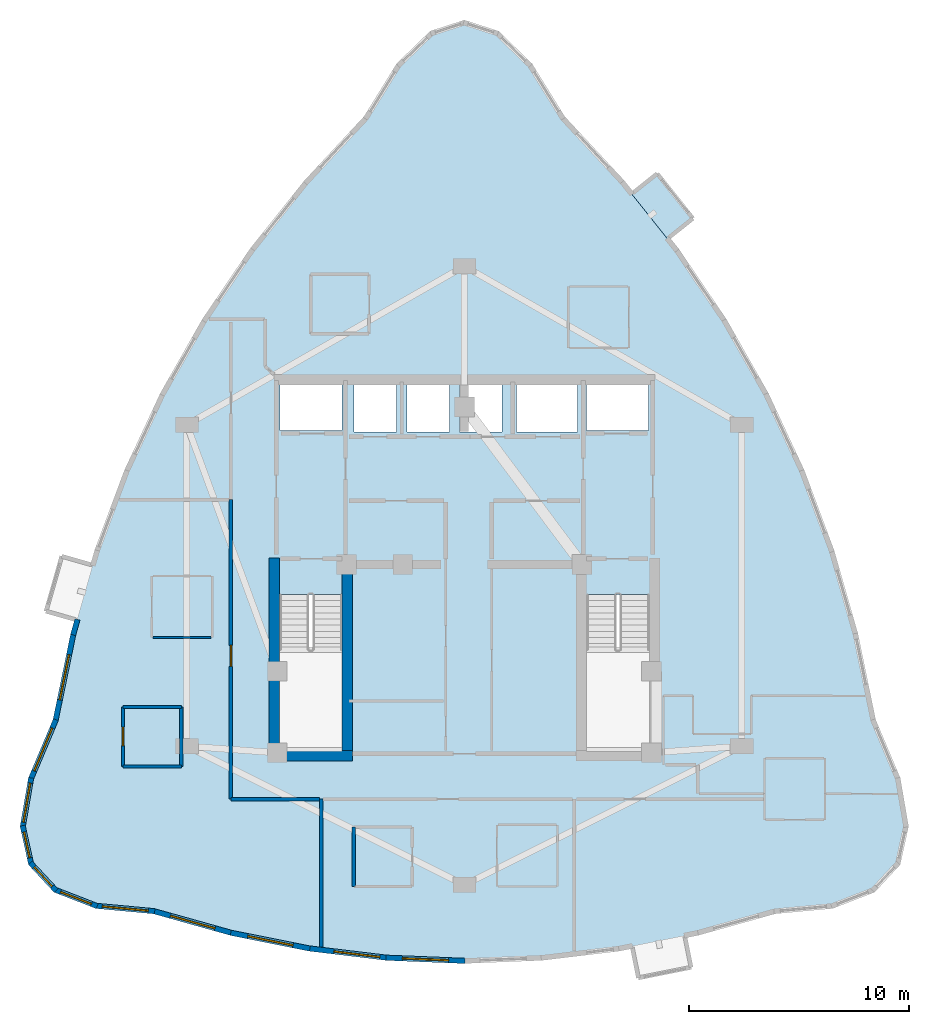
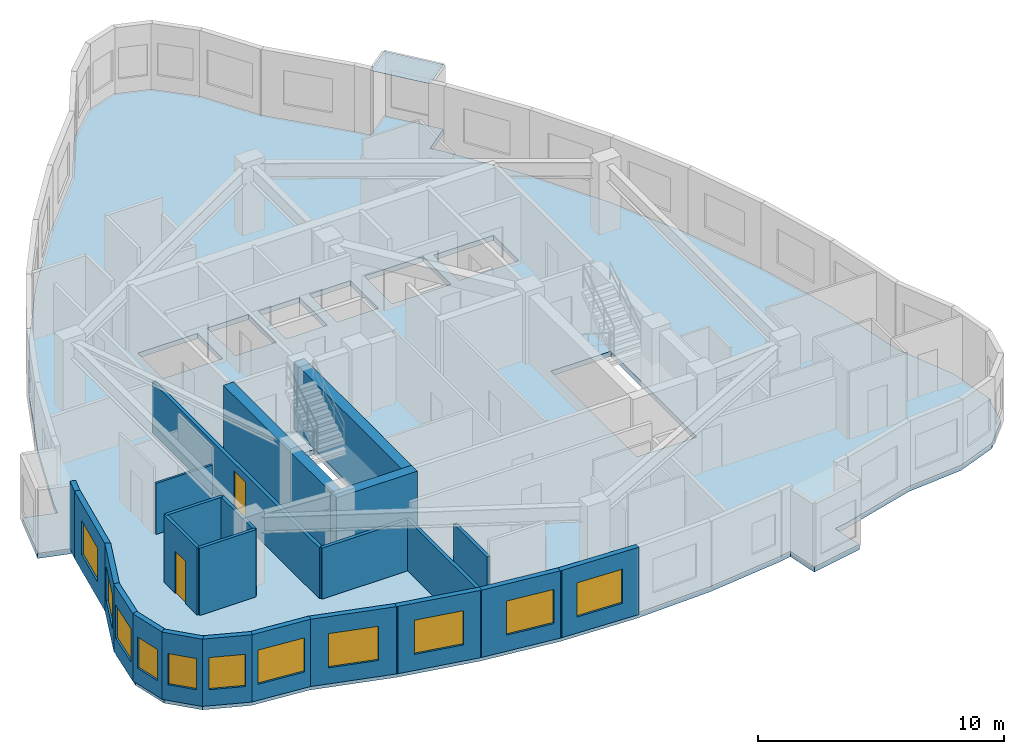
# One storey, part 3 of 8: 24 walls, 11 windows, 2 doors, 1 plate, 1 slab, 13 openings.
"""IFC4 building model written with IfcOpenShell, lengths in metres."""

from ifc_helpers import new_model, si_unit, direction, frame, frame_2d, origin, place, context, subcontext, project, spatial, polyline, rectangle, outline, extrude, material, layer, layer_set, type_object, element, fill, save


model = new_model("IFC4")

# Units and contexts
model_context = context("Model", 3, precision=1e-05, world=origin(), true_north=direction((0.0, 1.0)))
body_context = subcontext(model_context, "Body", "Model", "MODEL_VIEW")
ifc_project = project(units=[si_unit("LENGTHUNIT", "METRE"), si_unit("AREAUNIT", "SQUARE_METRE"), si_unit("VOLUMEUNIT", "CUBIC_METRE"), si_unit("PLANEANGLEUNIT", "RADIAN"), si_unit("MASSUNIT", "GRAM", prefix="KILO")], contexts=[model_context])

# Site, building, storey
site_placement = place(None, origin())
site = spatial("IfcSite", under=ifc_project, at=site_placement, CompositionType="ELEMENT")
building_placement = place(site_placement, origin())
building = spatial("IfcBuilding", under=site, at=building_placement, Name="Miruveldt Soraemaru", CompositionType="ELEMENT")
storey_placement = place(building_placement, frame((0.0, 0.0, 212.39990234375)))
storey = spatial("IfcBuildingStorey", under=building, at=storey_placement, Name="L58", CompositionType="ELEMENT", Elevation=212.39990234375)

# Plate
ifc_material_1 = material(Name="Standing-seam titanium-zinc sheet", Category="aluminium")
ifc_layer_1 = layer(ifc_material_1, 0.011962890625, Name="Standing-seam titanium-zinc sheet", Category="aluminium")
ifc_layer_set_1 = layer_set([ifc_layer_1], Name="Standing-seam titanium-zinc sheet")
plate_type = type_object("IfcPlateType", Name="PLT-ZINC-12", PredefinedType="SHEET", material=ifc_layer_set_1)
plate_placement = place(storey_placement, frame((0.0, 0.0, 3.195068359375)))
element("IfcPlate", 1, at=plate_placement, inside=storey, type_object=plate_type, Name="L58 Bay Window Zinc Hood Sheet 2", PredefinedType="SHEET", context=body_context, shape_type="SweptSolid", body=[
    extrude(outline(polyline([(53.22216796875, 58.847900390625), (51.600830078125, 60.880615234375), (52.7578125, 61.803466796875), (54.379150390625, 59.77099609375), (53.22216796875, 58.847900390625)])), origin(), (0.0, 0.0, 1.0), 0.011962890625),
])

# Slab
ifc_material_2 = material(Name="Concrete C40/50 (40 MPa)", Category="concrete")
ifc_layer_2 = layer(ifc_material_2, 0.2548828125, Name="Concrete C40/50 (40 MPa)", Category="concrete")
ifc_layer_set_2 = layer_set([ifc_layer_2], Name="Concrete C40/50 (40 MPa)")
slab_type = type_object("IfcSlabType", Name="SLAB-RES3-255", PredefinedType="FLOOR", material=ifc_layer_set_2)
slab_placement = place(storey_placement, frame((0.0, 0.0, -0.2548828125)))
element("IfcSlab", 2, at=slab_placement, inside=storey, type_object=slab_type, Name="L58 Structural Floor Slab", PredefinedType="FLOOR", context=body_context, shape_type="SweptSolid", body=[
    extrude(outline(polyline([(51.9033203125, 25.273681640625), (51.613037109375, 26.72509765625), (51.049072265625, 26.6123046875), (47.524658203125, 26.189208984375), (44.0, 26.04833984375), (40.475341796875, 26.189208984375), (36.950927734375, 26.6123046875), (33.42626953125, 27.317138671875), (29.90185546875, 28.303955078125), (27.294921875, 28.544921875), (25.432861328125, 29.267333984375), (24.3154296875, 30.471435546875), (23.943115234375, 32.156982421875), (24.3154296875, 34.324462890625), (25.432861328125, 36.973388671875), (26.23779296875, 40.885498046875), (26.777099609375, 42.77099609375), (26.419677734375, 41.521240234375), (24.99658203125, 41.92822265625), (25.711669921875, 44.427978515625), (27.134521484375, 44.02099609375), (27.31640625, 44.656494140625), (28.66845703125, 48.28662109375), (30.2939453125, 51.77587890625), (32.193115234375, 55.1240234375), (34.365478515625, 58.331298828125), (36.8115234375, 61.397216796875), (39.531005859375, 64.322509765625), (41.0205078125, 66.730712890625), (42.51025390625, 68.175537109375), (44.0, 68.6572265625), (45.48974609375, 68.175537109375), (46.9794921875, 66.730712890625), (48.468994140625, 64.322509765625), (51.1884765625, 61.397216796875), (52.41162109375, 59.8642578125), (51.600830078125, 60.880615234375), (52.7578125, 61.803466796875), (54.379150390625, 59.77099609375), (53.22216796875, 58.847900390625), (53.634521484375, 58.331298828125), (55.806884765625, 55.1240234375), (57.7060546875, 51.77587890625), (59.33154296875, 48.28662109375), (60.68359375, 44.656494140625), (61.76220703125, 40.885498046875), (62.567138671875, 36.973388671875), (63.6845703125, 34.324462890625), (64.056884765625, 32.156982421875), (63.6845703125, 30.471435546875), (62.567138671875, 29.267333984375), (60.705078125, 28.544921875), (58.09814453125, 28.303955078125), (54.57373046875, 27.317138671875), (52.811279296875, 26.964599609375), (54.009765625, 27.204345703125), (54.2998046875, 25.7529296875), (51.9033203125, 25.273681640625)]), holes=[polyline([(35.614990234375, 35.6650390625), (38.43505859375, 35.6650390625), (38.43505859375, 42.68505859375), (35.614990234375, 42.68505859375), (35.614990234375, 35.6650390625)]), polyline([(49.56494140625, 35.6650390625), (52.385009765625, 35.6650390625), (52.385009765625, 42.68505859375), (49.56494140625, 42.68505859375), (49.56494140625, 35.6650390625)]), polyline([(38.445068359375, 50.135009765625), (38.445068359375, 52.205078125), (35.635009765625, 52.205078125), (35.635009765625, 50.135009765625), (38.445068359375, 50.135009765625)]), polyline([(52.364990234375, 50.135009765625), (52.364990234375, 52.205078125), (49.554931640625, 52.205078125), (49.554931640625, 50.135009765625), (52.364990234375, 50.135009765625)]), polyline([(40.9150390625, 50.06494140625), (40.9150390625, 52.3349609375), (38.985107421875, 52.3349609375), (38.985107421875, 50.06494140625), (40.9150390625, 50.06494140625)]), polyline([(43.31494140625, 50.06494140625), (43.31494140625, 52.3349609375), (41.385009765625, 52.3349609375), (41.385009765625, 50.06494140625), (43.31494140625, 50.06494140625)]), polyline([(45.715087890625, 50.06494140625), (45.715087890625, 52.3349609375), (43.784912109375, 52.3349609375), (43.784912109375, 50.06494140625), (45.715087890625, 50.06494140625)]), polyline([(49.135009765625, 50.06494140625), (49.135009765625, 52.3349609375), (46.364990234375, 52.3349609375), (46.364990234375, 50.06494140625), (49.135009765625, 50.06494140625)])]), origin(), (0.0, 0.0, 1.0), 0.2548828125),
])

# Walls
ifc_material_3 = material(Name="Concrete C60/75 (60 MPa)", Category="concrete")
ifc_layer_3 = layer(ifc_material_3, 0.47998046875, Name="Concrete C60/75 (60 MPa)", Category="concrete")
ifc_layer_set_3 = layer_set([ifc_layer_3], Name="Concrete C60/75 (60 MPa)")
wall_type_1 = type_object("IfcWallType", Name="WALL-CW-480", PredefinedType="SHEAR", material=ifc_layer_set_3)
wall_1_placement = place(storey_placement, frame((35.1201171875, 35.360107421875, 0.0), z_axis=(0.0, 0.0, 1.0), x_axis=(1.0, 0.0, 0.0)))
element("IfcWall", 3, at=wall_1_placement, inside=storey, type_object=wall_type_1, Name="L58 Central Core Shear Wall S1", PredefinedType="SHEAR", context=body_context, shape_type="SweptSolid", body=[
    extrude(rectangle(XDim=3.809814453125, YDim=0.47998046875, at=frame_2d((1.90478515625, 0.0))), origin(), (0.0, 0.0, 1.0), 3.34521484375),
])
wall_2_placement = place(storey_placement, frame((35.360107421875, 35.1201171875, 0.0), z_axis=(0.0, 0.0, 1.0), x_axis=(0.0, 1.0, 0.0)))
element("IfcWall", 4, at=wall_2_placement, inside=storey, type_object=wall_type_1, Name="L58 Central Core Shear Wall W1", PredefinedType="SHEAR", context=body_context, shape_type="SweptSolid", body=[
    extrude(rectangle(XDim=9.22998046875, YDim=0.47998046875, at=frame_2d((4.614990234375, 0.0))), origin(), (0.0, 0.0, 1.0), 3.34521484375),
])
wall_3_placement = place(storey_placement, frame((38.68994140625, 35.39990234375, 0.0), z_axis=(0.0, 0.0, 1.0), x_axis=(0.0, 1.0, 0.0)))
element("IfcWall", 5, at=wall_3_placement, inside=storey, type_object=wall_type_1, Name="L58 Central Core Shear Wall SW-INT", PredefinedType="SHEAR", context=body_context, shape_type="SweptSolid", body=[
    extrude(rectangle(XDim=8.9501953125, YDim=0.47998046875, at=frame_2d((4.47509765625, 0.0))), origin(), (0.0, 0.0, 1.0), 3.34521484375),
])
ifc_material_4 = material(Name="Precast concrete C45/55 (45 MPa)", Category="concrete")
ifc_layer_4 = layer(ifc_material_4, 0.239990234375, Name="Precast concrete C45/55 (45 MPa)", Category="concrete")
ifc_layer_set_4 = layer_set([ifc_layer_4], Name="Precast concrete C45/55 (45 MPa)")
wall_type_2 = type_object("IfcWallType", Name="WALL-EXT-PC240", PredefinedType="SOLIDWALL", material=ifc_layer_set_4)
wall_4_placement = place(storey_placement, frame((26.427734375, 41.550048828125, 0.0), z_axis=(0.0, 0.0, 1.0), x_axis=(-0.274676723617, -0.961536633469, 0.0)))
element("IfcWall", 6, at=wall_4_placement, inside=storey, type_object=wall_type_2, Name="L58 Precast Pier Wall 13B", PredefinedType="SOLIDWALL", context=body_context, shape_type="SweptSolid", body=[
    extrude(rectangle(XDim=0.72607421875, YDim=0.239990234375, at=frame_2d((0.363037109375, 0.0))), origin(), (0.0, 0.0, 1.0), 3.34521484375),
])

# Wall, opening, window
wall_5_placement = place(storey_placement, frame((26.244873046875, 40.919921875, 0.0), z_axis=(0.0, 0.0, 1.0), x_axis=(-0.201542745203, -0.979479719982, 0.0)))
wall_5 = element("IfcWall", 7, at=wall_5_placement, inside=storey, type_object=wall_type_2, Name="L58 Precast Concrete Facade Wall 14", PredefinedType="SOLIDWALL", context=body_context, shape_type="SweptSolid", body=[
    extrude(rectangle(XDim=4.064208984375, YDim=0.239990234375, at=frame_2d((2.0322265625, 0.0))), origin(), (0.0, 0.0, 1.0), 3.34521484375),
])
opening_1_placement = place(wall_5_placement, frame((0.98193359375, 0.0, 0.800048828125)))
opening_1 = element("IfcOpeningElement", 8, at=opening_1_placement, cuts=wall_5, Name="Opening WN-1", PredefinedType="OPENING", context=body_context, shape_type="SweptSolid", body=[
    extrude(rectangle(XDim=2.10009765625, YDim=1.699951171875, at=frame_2d((1.050048828125, 0.85009765625))), frame((0.0, 0.1298828125, 0.0), z_axis=(0.0, -1.0, 0.0), x_axis=(1.0, 0.0, 0.0)), (0.0, 0.0, 1.0), 0.260009765625),
])
ifc_material_5 = material(Name="Triple low-e insulated glazing", Category="glass")
window_type_1 = type_object("IfcWindowType", Name="WIN-PUNCH-2100x1700", PartitioningType="SINGLE_PANEL", PredefinedType="WINDOW", material=ifc_material_5)
window_1_placement = place(opening_1_placement, origin())
window_1 = element("IfcWindow", 9, at=window_1_placement, inside=storey, type_object=window_type_1, Name="L58 Punched Triple-Glazed Window 14.1", OverallHeight=1.699951171875, OverallWidth=2.10009765625, PartitioningType="SINGLE_PANEL", PredefinedType="WINDOW", context=body_context, shape_type="SweptSolid", body=[
    extrude(rectangle(XDim=2.10009765625, YDim=1.699951171875, at=frame_2d((1.050048828125, 0.85009765625))), frame((0.0, 0.030029296875, 0.0), z_axis=(0.0, -1.0, 0.0), x_axis=(1.0, 0.0, 0.0)), (0.0, 0.0, 1.0), 0.06005859375),
])
fill(opening_1, window_1)

wall_6_placement = place(storey_placement, frame((25.4462890625, 37.005615234375, 0.0), z_axis=(0.0, 0.0, 1.0), x_axis=(-0.388579536892, -0.921415185196, 0.0)))
wall_6 = element("IfcWall", 10, at=wall_6_placement, inside=storey, type_object=wall_type_2, Name="L58 Precast Concrete Facade Wall 15", PredefinedType="SOLIDWALL", context=body_context, shape_type="SweptSolid", body=[
    extrude(rectangle(XDim=2.94482421875, YDim=0.239990234375, at=frame_2d((1.472412109375, 0.0))), origin(), (0.0, 0.0, 1.0), 3.34521484375),
])
opening_2_placement = place(wall_6_placement, frame((0.423095703125, 0.0, 0.800048828125)))
opening_2 = element("IfcOpeningElement", 11, at=opening_2_placement, cuts=wall_6, Name="Opening WN-1", PredefinedType="OPENING", context=body_context, shape_type="SweptSolid", body=[
    extrude(rectangle(XDim=2.10009765625, YDim=1.699951171875, at=frame_2d((1.050048828125, 0.85009765625))), frame((0.0, 0.1298828125, 0.0), z_axis=(0.0, -1.0, 0.0), x_axis=(1.0, 0.0, 0.0)), (0.0, 0.0, 1.0), 0.260009765625),
])
window_2_placement = place(opening_2_placement, origin())
window_2 = element("IfcWindow", 12, at=window_2_placement, inside=storey, type_object=window_type_1, Name="L58 Punched Triple-Glazed Window 15.1", OverallHeight=1.699951171875, OverallWidth=2.10009765625, PartitioningType="SINGLE_PANEL", PredefinedType="WINDOW", context=body_context, shape_type="SweptSolid", body=[
    extrude(rectangle(XDim=2.10009765625, YDim=1.699951171875, at=frame_2d((1.050048828125, 0.85009765625))), frame((0.0, 0.030029296875, 0.0), z_axis=(0.0, -1.0, 0.0), x_axis=(1.0, 0.0, 0.0)), (0.0, 0.0, 1.0), 0.06005859375),
])
fill(opening_2, window_2)

wall_7_placement = place(storey_placement, frame((24.3212890625, 34.35888671875, 0.0), z_axis=(0.0, 0.0, 1.0), x_axis=(-0.16924751517, -0.985573578486, 0.0)))
wall_7 = element("IfcWall", 13, at=wall_7_placement, inside=storey, type_object=wall_type_2, Name="L58 Precast Concrete Facade Wall 16", PredefinedType="SOLIDWALL", context=body_context, shape_type="SweptSolid", body=[
    extrude(rectangle(XDim=2.26904296875, YDim=0.239990234375, at=frame_2d((1.134521484375, 0.0))), origin(), (0.0, 0.0, 1.0), 3.34521484375),
])
opening_3_placement = place(wall_7_placement, frame((0.235107421875, 0.0, 0.800048828125)))
opening_3 = element("IfcOpeningElement", 14, at=opening_3_placement, cuts=wall_7, Name="Opening WN-2", PredefinedType="OPENING", context=body_context, shape_type="SweptSolid", body=[
    extrude(rectangle(XDim=1.800048828125, YDim=1.64990234375, at=frame_2d((0.89990234375, 0.824951171875))), frame((0.0, 0.1298828125, 0.0), z_axis=(0.0, -1.0, 0.0), x_axis=(1.0, 0.0, 0.0)), (0.0, 0.0, 1.0), 0.260009765625),
])
window_type_2 = type_object("IfcWindowType", Name="WIN-PUNCH-1800x1650", PartitioningType="SINGLE_PANEL", PredefinedType="WINDOW", material=ifc_material_5)
window_3_placement = place(opening_3_placement, origin())
window_3 = element("IfcWindow", 15, at=window_3_placement, inside=storey, type_object=window_type_2, Name="L58 Punched Triple-Glazed Window 16.1", OverallHeight=1.64990234375, OverallWidth=1.800048828125, PartitioningType="SINGLE_PANEL", PredefinedType="WINDOW", context=body_context, shape_type="SweptSolid", body=[
    extrude(rectangle(XDim=1.800048828125, YDim=1.64990234375, at=frame_2d((0.89990234375, 0.824951171875))), frame((0.0, 0.030029296875, 0.0), z_axis=(0.0, -1.0, 0.0), x_axis=(1.0, 0.0, 0.0)), (0.0, 0.0, 1.0), 0.06005859375),
])
fill(opening_3, window_3)

wall_8_placement = place(storey_placement, frame((23.935546875, 32.19140625, 0.0), z_axis=(0.0, 0.0, 1.0), x_axis=(0.21567837117, -0.976464459266, 0.0)))
wall_8 = element("IfcWall", 16, at=wall_8_placement, inside=storey, type_object=wall_type_2, Name="L58 Precast Concrete Facade Wall 17", PredefinedType="SOLIDWALL", context=body_context, shape_type="SweptSolid", body=[
    extrude(rectangle(XDim=1.79638671875, YDim=0.239990234375, at=frame_2d((0.898193359375, 0.0))), origin(), (0.0, 0.0, 1.0), 3.34521484375),
])
opening_4_placement = place(wall_8_placement, frame((0.298095703125, 0.0, 0.780029296875)))
opening_4 = element("IfcOpeningElement", 17, at=opening_4_placement, cuts=wall_8, Name="Opening WN-4", PredefinedType="OPENING", context=body_context, shape_type="SweptSolid", body=[
    extrude(rectangle(XDim=1.199951171875, YDim=1.550048828125, at=frame_2d((0.60009765625, 0.77490234375))), frame((0.0, 0.1298828125, 0.0), z_axis=(0.0, -1.0, 0.0), x_axis=(1.0, 0.0, 0.0)), (0.0, 0.0, 1.0), 0.260009765625),
])
window_type_3 = type_object("IfcWindowType", Name="WIN-PUNCH-1200x1550", PartitioningType="SINGLE_PANEL", PredefinedType="WINDOW", material=ifc_material_5)
window_4_placement = place(opening_4_placement, origin())
window_4 = element("IfcWindow", 18, at=window_4_placement, inside=storey, type_object=window_type_3, Name="L58 Punched Triple-Glazed Window 17.1", OverallHeight=1.550048828125, OverallWidth=1.199951171875, PartitioningType="SINGLE_PANEL", PredefinedType="WINDOW", context=body_context, shape_type="SweptSolid", body=[
    extrude(rectangle(XDim=1.199951171875, YDim=1.550048828125, at=frame_2d((0.60009765625, 0.77490234375))), frame((0.0, 0.030029296875, 0.0), z_axis=(0.0, -1.0, 0.0), x_axis=(1.0, 0.0, 0.0)), (0.0, 0.0, 1.0), 0.06005859375),
])
fill(opening_4, window_4)

wall_9_placement = place(storey_placement, frame((24.291748046875, 30.4970703125, 0.0), z_axis=(0.0, 0.0, 1.0), x_axis=(0.680166703881, -0.733057470416, 0.0)))
wall_9 = element("IfcWall", 19, at=wall_9_placement, inside=storey, type_object=wall_type_2, Name="L58 Precast Concrete Facade Wall 18", PredefinedType="SOLIDWALL", context=body_context, shape_type="SweptSolid", body=[
    extrude(rectangle(XDim=1.71240234375, YDim=0.239990234375, at=frame_2d((0.856201171875, 0.0))), origin(), (0.0, 0.0, 1.0), 3.34521484375),
])
opening_5_placement = place(wall_9_placement, frame((0.256103515625, 0.0, 0.780029296875)))
opening_5 = element("IfcOpeningElement", 20, at=opening_5_placement, cuts=wall_9, Name="Opening WN-4", PredefinedType="OPENING", context=body_context, shape_type="SweptSolid", body=[
    extrude(rectangle(XDim=1.199951171875, YDim=1.550048828125, at=frame_2d((0.60009765625, 0.77490234375))), frame((0.0, 0.1298828125, 0.0), z_axis=(0.0, -1.0, 0.0), x_axis=(1.0, 0.0, 0.0)), (0.0, 0.0, 1.0), 0.260009765625),
])
window_5_placement = place(opening_5_placement, origin())
window_5 = element("IfcWindow", 21, at=window_5_placement, inside=storey, type_object=window_type_3, Name="L58 Punched Triple-Glazed Window 18.1", OverallHeight=1.550048828125, OverallWidth=1.199951171875, PartitioningType="SINGLE_PANEL", PredefinedType="WINDOW", context=body_context, shape_type="SweptSolid", body=[
    extrude(rectangle(XDim=1.199951171875, YDim=1.550048828125, at=frame_2d((0.60009765625, 0.77490234375))), frame((0.0, 0.030029296875, 0.0), z_axis=(0.0, -1.0, 0.0), x_axis=(1.0, 0.0, 0.0)), (0.0, 0.0, 1.0), 0.06005859375),
])
fill(opening_5, window_5)

wall_10_placement = place(storey_placement, frame((25.400146484375, 29.280029296875, 0.0), z_axis=(0.0, 0.0, 1.0), x_axis=(0.932239398697, -0.361842097493, 0.0)))
wall_10 = element("IfcWall", 22, at=wall_10_placement, inside=storey, type_object=wall_type_2, Name="L58 Precast Concrete Facade Wall 19", PredefinedType="SOLIDWALL", context=body_context, shape_type="SweptSolid", body=[
    extrude(rectangle(XDim=2.0673828125, YDim=0.239990234375, at=frame_2d((1.03369140625, 0.0))), origin(), (0.0, 0.0, 1.0), 3.34521484375),
])
opening_6_placement = place(wall_10_placement, frame((0.283935546875, 0.0, 0.800048828125)))
opening_6 = element("IfcOpeningElement", 23, at=opening_6_placement, cuts=wall_10, Name="Opening WN-3", PredefinedType="OPENING", context=body_context, shape_type="SweptSolid", body=[
    extrude(rectangle(XDim=1.5, YDim=1.60009765625, at=frame_2d((0.75, 0.800048828125))), frame((0.0, 0.1298828125, 0.0), z_axis=(0.0, -1.0, 0.0), x_axis=(1.0, 0.0, 0.0)), (0.0, 0.0, 1.0), 0.260009765625),
])
window_type_4 = type_object("IfcWindowType", Name="WIN-PUNCH-1500x1600", PartitioningType="SINGLE_PANEL", PredefinedType="WINDOW", material=ifc_material_5)
window_6_placement = place(opening_6_placement, origin())
window_6 = element("IfcWindow", 24, at=window_6_placement, inside=storey, type_object=window_type_4, Name="L58 Punched Triple-Glazed Window 19.1", OverallHeight=1.60009765625, OverallWidth=1.5, PartitioningType="SINGLE_PANEL", PredefinedType="WINDOW", context=body_context, shape_type="SweptSolid", body=[
    extrude(rectangle(XDim=1.5, YDim=1.60009765625, at=frame_2d((0.75, 0.800048828125))), frame((0.0, 0.030029296875, 0.0), z_axis=(0.0, -1.0, 0.0), x_axis=(1.0, 0.0, 0.0)), (0.0, 0.0, 1.0), 0.06005859375),
])
fill(opening_6, window_6)

wall_11_placement = place(storey_placement, frame((27.260009765625, 28.548095703125, 0.0), z_axis=(0.0, 0.0, 1.0), x_axis=(0.995758874352, -0.092001435582, 0.0)))
wall_11 = element("IfcWall", 25, at=wall_11_placement, inside=storey, type_object=wall_type_2, Name="L58 Precast Concrete Facade Wall 20", PredefinedType="SOLIDWALL", context=body_context, shape_type="SweptSolid", body=[
    extrude(rectangle(XDim=2.688232421875, YDim=0.239990234375, at=frame_2d((1.34423828125, 0.0))), origin(), (0.0, 0.0, 1.0), 3.34521484375),
])
opening_7_placement = place(wall_11_placement, frame((0.2939453125, 0.0, 0.800048828125)))
opening_7 = element("IfcOpeningElement", 26, at=opening_7_placement, cuts=wall_11, Name="Opening WN-1", PredefinedType="OPENING", context=body_context, shape_type="SweptSolid", body=[
    extrude(rectangle(XDim=2.10009765625, YDim=1.699951171875, at=frame_2d((1.050048828125, 0.85009765625))), frame((0.0, 0.1298828125, 0.0), z_axis=(0.0, -1.0, 0.0), x_axis=(1.0, 0.0, 0.0)), (0.0, 0.0, 1.0), 0.260009765625),
])
window_7_placement = place(opening_7_placement, origin())
window_7 = element("IfcWindow", 27, at=window_7_placement, inside=storey, type_object=window_type_1, Name="L58 Punched Triple-Glazed Window 20.1", OverallHeight=1.699951171875, OverallWidth=2.10009765625, PartitioningType="SINGLE_PANEL", PredefinedType="WINDOW", context=body_context, shape_type="SweptSolid", body=[
    extrude(rectangle(XDim=2.10009765625, YDim=1.699951171875, at=frame_2d((1.050048828125, 0.85009765625))), frame((0.0, 0.030029296875, 0.0), z_axis=(0.0, -1.0, 0.0), x_axis=(1.0, 0.0, 0.0)), (0.0, 0.0, 1.0), 0.06005859375),
])
fill(opening_7, window_7)

wall_12_placement = place(storey_placement, frame((29.8681640625, 28.3134765625, 0.0), z_axis=(0.0, 0.0, 1.0), x_axis=(0.962953142371, -0.269668770158, 0.0)))
wall_12 = element("IfcWall", 28, at=wall_12_placement, inside=storey, type_object=wall_type_2, Name="L58 Precast Concrete Facade Wall 21", PredefinedType="SOLIDWALL", context=body_context, shape_type="SweptSolid", body=[
    extrude(rectangle(XDim=3.72998046875, YDim=0.239990234375, at=frame_2d((1.864990234375, 0.0))), origin(), (0.0, 0.0, 1.0), 3.34521484375),
])
opening_8_placement = place(wall_12_placement, frame((0.81494140625, 0.0, 0.800048828125)))
opening_8 = element("IfcOpeningElement", 29, at=opening_8_placement, cuts=wall_12, Name="Opening WN-1", PredefinedType="OPENING", context=body_context, shape_type="SweptSolid", body=[
    extrude(rectangle(XDim=2.10009765625, YDim=1.699951171875, at=frame_2d((1.050048828125, 0.85009765625))), frame((0.0, 0.1298828125, 0.0), z_axis=(0.0, -1.0, 0.0), x_axis=(1.0, 0.0, 0.0)), (0.0, 0.0, 1.0), 0.260009765625),
])
window_8_placement = place(opening_8_placement, origin())
window_8 = element("IfcWindow", 30, at=window_8_placement, inside=storey, type_object=window_type_1, Name="L58 Punched Triple-Glazed Window 21.1", OverallHeight=1.699951171875, OverallWidth=2.10009765625, PartitioningType="SINGLE_PANEL", PredefinedType="WINDOW", context=body_context, shape_type="SweptSolid", body=[
    extrude(rectangle(XDim=2.10009765625, YDim=1.699951171875, at=frame_2d((1.050048828125, 0.85009765625))), frame((0.0, 0.030029296875, 0.0), z_axis=(0.0, -1.0, 0.0), x_axis=(1.0, 0.0, 0.0)), (0.0, 0.0, 1.0), 0.06005859375),
])
fill(opening_8, window_8)

wall_13_placement = place(storey_placement, frame((33.39208984375, 27.323974609375, 0.0), z_axis=(0.0, 0.0, 1.0), x_axis=(0.980572987023, -0.19615457456, 0.0)))
wall_13 = element("IfcWall", 31, at=wall_13_placement, inside=storey, type_object=wall_type_2, Name="L58 Precast Concrete Facade Wall 22", PredefinedType="SOLIDWALL", context=body_context, shape_type="SweptSolid", body=[
    extrude(rectangle(XDim=3.664306640625, YDim=0.239990234375, at=frame_2d((1.83203125, 0.0))), origin(), (0.0, 0.0, 1.0), 3.34521484375),
])
opening_9_placement = place(wall_13_placement, frame((0.781982421875, 0.0, 0.800048828125)))
opening_9 = element("IfcOpeningElement", 32, at=opening_9_placement, cuts=wall_13, Name="Opening WN-1", PredefinedType="OPENING", context=body_context, shape_type="SweptSolid", body=[
    extrude(rectangle(XDim=2.10009765625, YDim=1.699951171875, at=frame_2d((1.050048828125, 0.85009765625))), frame((0.0, 0.1298828125, 0.0), z_axis=(0.0, -1.0, 0.0), x_axis=(1.0, 0.0, 0.0)), (0.0, 0.0, 1.0), 0.260009765625),
])
window_9_placement = place(opening_9_placement, origin())
window_9 = element("IfcWindow", 33, at=window_9_placement, inside=storey, type_object=window_type_1, Name="L58 Punched Triple-Glazed Window 22.1", OverallHeight=1.699951171875, OverallWidth=2.10009765625, PartitioningType="SINGLE_PANEL", PredefinedType="WINDOW", context=body_context, shape_type="SweptSolid", body=[
    extrude(rectangle(XDim=2.10009765625, YDim=1.699951171875, at=frame_2d((1.050048828125, 0.85009765625))), frame((0.0, 0.030029296875, 0.0), z_axis=(0.0, -1.0, 0.0), x_axis=(1.0, 0.0, 0.0)), (0.0, 0.0, 1.0), 0.06005859375),
])
fill(opening_9, window_9)

wall_14_placement = place(storey_placement, frame((36.916015625, 26.616455078125, 0.0), z_axis=(0.0, 0.0, 1.0), x_axis=(0.992873966084, -0.119169154875, 0.0)))
wall_14 = element("IfcWall", 34, at=wall_14_placement, inside=storey, type_object=wall_type_2, Name="L58 Precast Concrete Facade Wall 23", PredefinedType="SOLIDWALL", context=body_context, shape_type="SweptSolid", body=[
    extrude(rectangle(XDim=3.6201171875, YDim=0.239990234375, at=frame_2d((1.81005859375, 0.0))), origin(), (0.0, 0.0, 1.0), 3.34521484375),
])
opening_10_placement = place(wall_14_placement, frame((1.1689453125, 0.0, 0.800048828125)))
opening_10 = element("IfcOpeningElement", 35, at=opening_10_placement, cuts=wall_14, Name="Opening WN-1", PredefinedType="OPENING", context=body_context, shape_type="SweptSolid", body=[
    extrude(rectangle(XDim=2.10009765625, YDim=1.699951171875, at=frame_2d((1.050048828125, 0.85009765625))), frame((0.0, 0.1298828125, 0.0), z_axis=(0.0, -1.0, 0.0), x_axis=(1.0, 0.0, 0.0)), (0.0, 0.0, 1.0), 0.260009765625),
])
window_10_placement = place(opening_10_placement, origin())
window_10 = element("IfcWindow", 36, at=window_10_placement, inside=storey, type_object=window_type_1, Name="L58 Punched Triple-Glazed Window 23.1", OverallHeight=1.699951171875, OverallWidth=2.10009765625, PartitioningType="SINGLE_PANEL", PredefinedType="WINDOW", context=body_context, shape_type="SweptSolid", body=[
    extrude(rectangle(XDim=2.10009765625, YDim=1.699951171875, at=frame_2d((1.050048828125, 0.85009765625))), frame((0.0, 0.030029296875, 0.0), z_axis=(0.0, -1.0, 0.0), x_axis=(1.0, 0.0, 0.0)), (0.0, 0.0, 1.0), 0.06005859375),
])
fill(opening_10, window_10)

wall_15_placement = place(storey_placement, frame((40.4404296875, 26.190673828125, 0.0), z_axis=(0.0, 0.0, 1.0), x_axis=(0.999200741881, -0.039973459008, 0.0)))
wall_15 = element("IfcWall", 37, at=wall_15_placement, inside=storey, type_object=wall_type_2, Name="L58 Precast Concrete Facade Wall 24", PredefinedType="SOLIDWALL", context=body_context, shape_type="SweptSolid", body=[
    extrude(rectangle(XDim=3.597412109375, YDim=0.239990234375, at=frame_2d((1.798828125, 0.0))), origin(), (0.0, 0.0, 1.0), 3.34521484375),
])
opening_11_placement = place(wall_15_placement, frame((0.748046875, 0.0, 0.800048828125)))
opening_11 = element("IfcOpeningElement", 38, at=opening_11_placement, cuts=wall_15, Name="Opening WN-1", PredefinedType="OPENING", context=body_context, shape_type="SweptSolid", body=[
    extrude(rectangle(XDim=2.10009765625, YDim=1.699951171875, at=frame_2d((1.050048828125, 0.85009765625))), frame((0.0, 0.1298828125, 0.0), z_axis=(0.0, -1.0, 0.0), x_axis=(1.0, 0.0, 0.0)), (0.0, 0.0, 1.0), 0.260009765625),
])
window_11_placement = place(opening_11_placement, origin())
window_11 = element("IfcWindow", 39, at=window_11_placement, inside=storey, type_object=window_type_1, Name="L58 Punched Triple-Glazed Window 24.1", OverallHeight=1.699951171875, OverallWidth=2.10009765625, PartitioningType="SINGLE_PANEL", PredefinedType="WINDOW", context=body_context, shape_type="SweptSolid", body=[
    extrude(rectangle(XDim=2.10009765625, YDim=1.699951171875, at=frame_2d((1.050048828125, 0.85009765625))), frame((0.0, 0.030029296875, 0.0), z_axis=(0.0, -1.0, 0.0), x_axis=(1.0, 0.0, 0.0)), (0.0, 0.0, 1.0), 0.06005859375),
])
fill(opening_11, window_11)

# Wall
ifc_material_6 = material(Name="Gypsum plasterboard lining", Category="gypsum")
ifc_layer_5 = layer(ifc_material_6, 0.10009765625, Name="Gypsum plasterboard lining", Category="gypsum")
ifc_layer_set_5 = layer_set([ifc_layer_5], Name="Gypsum plasterboard lining")
wall_type_3 = type_object("IfcWallType", Name="WALL-INT-P100", PredefinedType="PARTITIONING", material=ifc_layer_set_5)
wall_16_placement = place(storey_placement, frame((29.847900390625, 40.72998046875, 0.0), z_axis=(0.0, 0.0, 1.0), x_axis=(1.0, 0.0, 0.0)))
element("IfcWall", 40, at=wall_16_placement, inside=storey, type_object=wall_type_3, Name="L58 Partition Wall 26", PredefinedType="PARTITIONING", context=body_context, shape_type="SweptSolid", body=[
    extrude(rectangle(XDim=2.650146484375, YDim=0.10009765625, at=frame_2d((1.3251953125, 0.0))), origin(), (0.0, 0.0, 1.0), 2.533203125),
])

# Wall, opening, door
ifc_layer_6 = layer(ifc_material_6, 0.14990234375, Name="Gypsum plasterboard lining", Category="gypsum")
ifc_layer_set_6 = layer_set([ifc_layer_6], Name="Gypsum plasterboard lining")
wall_type_4 = type_object("IfcWallType", Name="WALL-INT-PLUMB", PredefinedType="PLUMBINGWALL", material=ifc_layer_set_6)
wall_17_placement = place(storey_placement, frame((28.498046875, 37.580078125, 0.0), z_axis=(0.0, 0.0, 1.0), x_axis=(0.0, -1.0, 0.0)))
wall_17 = element("IfcWall", 41, at=wall_17_placement, inside=storey, type_object=wall_type_4, Name="L58 Partition Wall 21", PredefinedType="PLUMBINGWALL", context=body_context, shape_type="SweptSolid", body=[
    extrude(rectangle(XDim=2.7001953125, YDim=0.14990234375, at=frame_2d((1.35009765625, 0.0))), origin(), (0.0, 0.0, 1.0), 3.34521484375),
])
opening_12_placement = place(wall_17_placement, frame((0.909912109375, 0.0, 0.0)))
opening_12 = element("IfcOpeningElement", 42, at=opening_12_placement, cuts=wall_17, Name="Opening FD3", PredefinedType="OPENING", context=body_context, shape_type="SweptSolid", body=[
    extrude(rectangle(XDim=0.85009765625, YDim=2.10009765625, at=frame_2d((0.425048828125, 1.050048828125))), frame((0.0, 0.0849609375, 0.0), z_axis=(0.0, -1.0, 0.0), x_axis=(1.0, 0.0, 0.0)), (0.0, 0.0, 1.0), 0.169921875),
])
ifc_material_7 = material(Name="Anodised aluminium EN AW-6063 T6", Category="aluminium")
door_type_1 = type_object("IfcDoorType", Name="DOOR-FD3-850", OperationType="NOTDEFINED", PredefinedType="DOOR", material=ifc_material_7)
door_1_placement = place(opening_12_placement, origin())
door_1 = element("IfcDoor", 43, at=door_1_placement, inside=storey, type_object=door_type_1, Name="L58 Unit 5802 BTH Door", OperationType="SINGLE_SWING_RIGHT", OverallHeight=2.10009765625, OverallWidth=0.85009765625, PredefinedType="DOOR", context=body_context, shape_type="SweptSolid", body=[
    extrude(rectangle(XDim=0.85009765625, YDim=2.10009765625, at=frame_2d((0.425048828125, 1.050048828125))), frame((0.0, 0.02490234375, 0.0), z_axis=(0.0, -1.0, 0.0), x_axis=(1.0, 0.0, 0.0)), (0.0, 0.0, 1.0), 0.050048828125),
])
fill(opening_12, door_1)

# Walls
wall_18_placement = place(storey_placement, frame((38.97998046875, 32.1298828125, 0.0), z_axis=(0.0, 0.0, 1.0), x_axis=(0.0, -1.0, 0.0)))
element("IfcWall", 44, at=wall_18_placement, inside=storey, type_object=wall_type_4, Name="L58 Partition Wall 30", PredefinedType="PLUMBINGWALL", context=body_context, shape_type="SweptSolid", body=[
    extrude(rectangle(XDim=2.699951171875, YDim=0.14990234375, at=frame_2d((1.35009765625, 0.0))), origin(), (0.0, 0.0, 1.0), 2.533203125),
])
wall_19_placement = place(storey_placement, frame((31.14794921875, 34.8798828125, 0.0), z_axis=(0.0, 0.0, 1.0), x_axis=(0.0, 1.0, 0.0)))
element("IfcWall", 45, at=wall_19_placement, inside=storey, type_object=wall_type_4, Name="L58 Partition Wall 19", PredefinedType="PLUMBINGWALL", context=body_context, shape_type="SweptSolid", body=[
    extrude(rectangle(XDim=2.7001953125, YDim=0.14990234375, at=frame_2d((1.35009765625, 0.0))), origin(), (0.0, 0.0, 1.0), 3.34521484375),
])
for number, where, z_axis, x_axis, name in (
    (46, (31.14794921875, 37.580078125, 0.0), (0.0, 0.0, 1.0), (-1.0, 0.0, 0.0), "L58 Partition Wall 20"),
    (47, (28.498046875, 34.8798828125, 0.0), (0.0, 0.0, 1.0), (1.0, 0.0, 0.0), "L58 Partition Wall 22"),
):
    element("IfcWall", number, at=place(storey_placement, frame(where, z_axis=z_axis, x_axis=x_axis)), inside=storey, type_object=wall_type_4, Name=name, PredefinedType="PLUMBINGWALL", context=body_context, shape_type="SweptSolid", body=[
        extrude(rectangle(XDim=2.64990234375, YDim=0.14990234375, at=frame_2d((1.324951171875, 0.0))), origin(), (0.0, 0.0, 1.0), 3.34521484375),
    ])

# Wall, opening, door
ifc_layer_7 = layer(ifc_material_2, 0.159912109375, Name="Concrete C40/50 (40 MPa)", Category="concrete")
ifc_layer_set_7 = layer_set([ifc_layer_7], Name="Concrete C40/50 (40 MPa)")
wall_type_5 = type_object("IfcWallType", Name="WALL-INT-RC160", PredefinedType="SOLIDWALL", material=ifc_layer_set_7)
wall_20_placement = place(storey_placement, frame((33.39990234375, 46.9951171875, 0.0), z_axis=(0.0, 0.0, 1.0), x_axis=(0.0, -1.0, 0.0)))
wall_20 = element("IfcWall", 48, at=wall_20_placement, inside=storey, type_object=wall_type_5, Name="L58 Partition Wall 4", PredefinedType="SOLIDWALL", context=body_context, shape_type="SweptSolid", body=[
    extrude(rectangle(XDim=13.59521484375, YDim=0.159912109375, at=frame_2d((6.797607421875, 0.0))), origin(), (0.0, 0.0, 1.0), 2.533203125),
])
opening_13_placement = place(wall_20_placement, frame((6.6201171875, 0.0, 0.0)))
opening_13 = element("IfcOpeningElement", 49, at=opening_13_placement, cuts=wall_20, Name="Opening FD2", PredefinedType="OPENING", context=body_context, shape_type="SweptSolid", body=[
    extrude(rectangle(XDim=0.949951171875, YDim=2.14990234375, at=frame_2d((0.47509765625, 1.074951171875))), frame((0.0, 0.08984375, 0.0), z_axis=(0.0, -1.0, 0.0), x_axis=(1.0, 0.0, 0.0)), (0.0, 0.0, 1.0), 0.179931640625),
])
door_type_2 = type_object("IfcDoorType", Name="DOOR-FD2-950", OperationType="NOTDEFINED", PredefinedType="DOOR", material=ifc_material_7)
door_2_placement = place(opening_13_placement, origin())
door_2 = element("IfcDoor", 50, at=door_2_placement, inside=storey, type_object=door_type_2, Name="L58 Unit 5802 Entrance Fire Door", OperationType="SINGLE_SWING_LEFT", OverallHeight=2.14990234375, OverallWidth=0.949951171875, PredefinedType="DOOR", context=body_context, shape_type="SweptSolid", body=[
    extrude(rectangle(XDim=0.949951171875, YDim=2.14990234375, at=frame_2d((0.47509765625, 1.074951171875))), frame((0.0, 0.02490234375, 0.0), z_axis=(0.0, -1.0, 0.0), x_axis=(1.0, 0.0, 0.0)), (0.0, 0.0, 1.0), 0.050048828125),
])
fill(opening_13, door_2)

# Walls
wall_21_placement = place(storey_placement, frame((37.507080078125, 26.680908203125, 0.0), z_axis=(0.0, 0.0, 1.0), x_axis=(-0.001053740195, 0.999999444816, 0.0)))
element("IfcWall", 51, at=wall_21_placement, inside=storey, type_object=wall_type_5, Name="L58 Partition Wall 27", PredefinedType="SOLIDWALL", context=body_context, shape_type="SweptSolid", body=[
    extrude(rectangle(XDim=6.718994140625, YDim=0.159912109375, at=frame_2d((3.359375, 0.0))), origin(), (0.0, 0.0, 1.0), 2.533203125),
])
wall_22_placement = place(storey_placement, frame((33.39990234375, 33.39990234375, 0.0), z_axis=(0.0, 0.0, 1.0), x_axis=(1.0, 0.0, 0.0)))
element("IfcWall", 52, at=wall_22_placement, inside=storey, type_object=wall_type_5, Name="L58 Partition Wall 5", PredefinedType="SOLIDWALL", context=body_context, shape_type="SweptSolid", body=[
    extrude(rectangle(XDim=4.01513671875, YDim=0.159912109375, at=frame_2d((2.007568359375, 0.0))), origin(), (0.0, 0.0, 1.0), 2.533203125),
])

save(model, "model.ifc")
